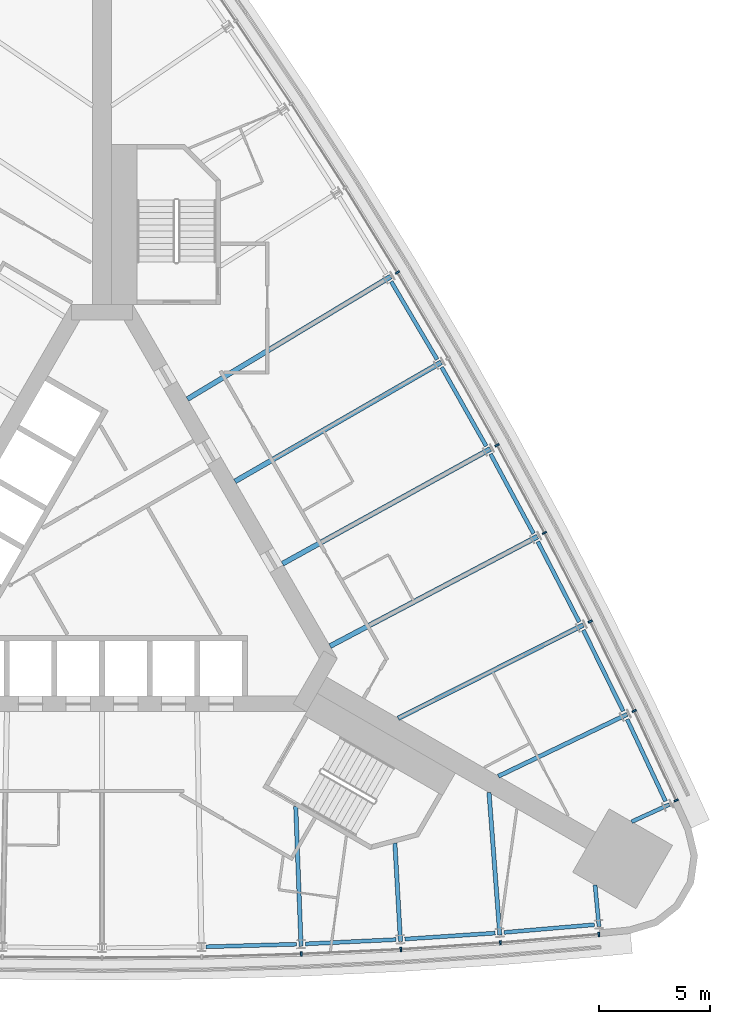
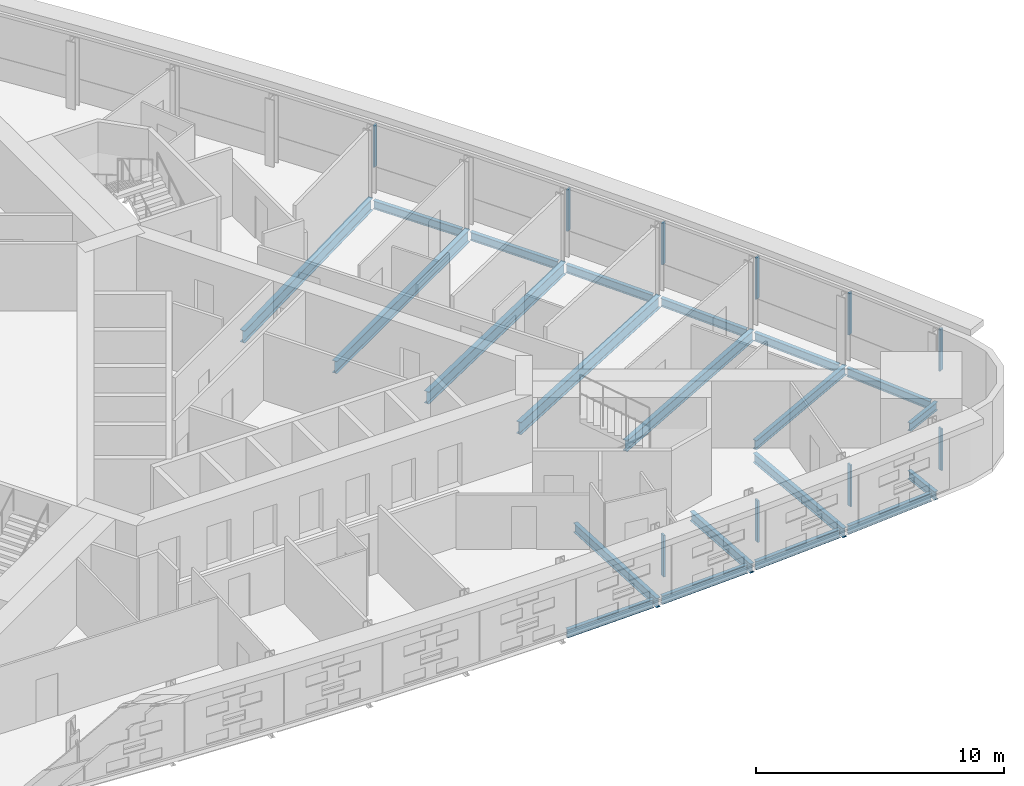
# One storey, part 6 of 15: 21 beams, 10 members, 2 elements without a shape of their own.
"""IFC4 building model written with IfcOpenShell, lengths in metres."""

from ifc_helpers import new_model, si_unit, direction, frame, origin, origin_2d, place, context, subcontext, project, spatial, rectangle, i_section, extrude, material, material_profile, profile_set, type_object, element, aggregate, save


model = new_model("IFC4")

# Units and contexts
model_context = context("Model", 3, precision=1e-05, world=origin(), true_north=direction((0.0, 1.0)))
body_context = subcontext(model_context, "Body", "Model", "MODEL_VIEW")
ifc_project = project(units=[si_unit("LENGTHUNIT", "METRE"), si_unit("AREAUNIT", "SQUARE_METRE"), si_unit("VOLUMEUNIT", "CUBIC_METRE"), si_unit("PLANEANGLEUNIT", "RADIAN"), si_unit("MASSUNIT", "GRAM", prefix="KILO")], contexts=[model_context])

# Site, building, storey
site_placement = place(None, origin())
site = spatial("IfcSite", under=ifc_project, at=site_placement, CompositionType="ELEMENT")
building_placement = place(site_placement, origin())
building = spatial("IfcBuilding", under=site, at=building_placement, Name="Noor Cloister Tower", CompositionType="ELEMENT")
storey_placement = place(building_placement, frame((0.0, 0.0, 49.199951171875)))
storey = spatial("IfcBuildingStorey", under=building, at=storey_placement, Name="L12", CompositionType="ELEMENT", Elevation=49.199951171875)

# Curtain wall, members
ifc_material_1 = material(Name="Aluminium 6063-T6 anodised", Category="aluminium")
curtain_wall_type = type_object("IfcCurtainWallType", Name="Ribbon curtain wall, lower tower CW1", PredefinedType="NOTDEFINED", material=ifc_material_1)
curtain_wall_1_placement = place(storey_placement, origin())
curtain_wall_1 = element("IfcCurtainWall", 1, at=curtain_wall_1_placement, inside=storey, type_object=curtain_wall_type, Name="CW1 L12 S run 2", PredefinedType="NOTDEFINED")
ifc_material_2 = material(Name="Aluminium 6063-T6 anodised", Category="aluminium")
ifc_material_profile_1 = material_profile(ifc_material_2, rectangle(XDim=0.199951171875, YDim=0.080078125, at=origin_2d()), Name="200 x 80 mullion")
ifc_profile_set_1 = profile_set([ifc_material_profile_1], Name="Aluminium 6063-T6 anodised")
member_type = type_object("IfcMemberType", Name="Mullion CW1 80 x 200", PredefinedType="MULLION", material=ifc_profile_set_1)
member_1_placement = place(storey_placement, frame((8.994140625, -17.861083984375, 1.10009765625), z_axis=(0.0, 0.0, 1.0), x_axis=(-0.037822767995, 0.999284463114, 0.0)))
member_1 = element("IfcMember", 2, at=member_1_placement, type_object=member_type, Name="CW1 mullion 8", PredefinedType="MULLION", context=body_context, shape_type="SweptSolid", body=[
    extrude(rectangle(XDim=0.199951171875, YDim=0.080078125, at=origin_2d()), origin(), (0.0, 0.0, 1.0), 2.050048828125),
])
member_2_placement = place(storey_placement, frame((13.487060546875, -17.6484375, 1.10009765625), z_axis=(0.0, 0.0, 1.0), x_axis=(-0.056717235133, 0.998390282023, 0.0)))
member_2 = element("IfcMember", 3, at=member_2_placement, type_object=member_type, Name="CW1 mullion 9", PredefinedType="MULLION", context=body_context, shape_type="SweptSolid", body=[
    extrude(rectangle(XDim=0.199951171875, YDim=0.080078125, at=origin_2d()), origin(), (0.0, 0.0, 1.0), 2.050048828125),
])
member_3_placement = place(storey_placement, frame((17.975341796875, -17.350830078125, 1.10009765625), z_axis=(0.0, 0.0, 1.0), x_axis=(-0.075591408818, 0.997138876442, 0.0)))
member_3 = element("IfcMember", 4, at=member_3_placement, type_object=member_type, Name="CW1 mullion 10", PredefinedType="MULLION", context=body_context, shape_type="SweptSolid", body=[
    extrude(rectangle(XDim=0.199951171875, YDim=0.080078125, at=origin_2d()), origin(), (0.0, 0.0, 1.0), 2.050048828125),
])
member_4_placement = place(storey_placement, frame((22.418212890625, -16.9716796875, 1.10009765625), z_axis=(0.0, 0.0, 1.0), x_axis=(-0.085018766201, 0.996379350144, 0.0)))
member_4 = element("IfcMember", 5, at=member_4_placement, type_object=member_type, Name="CW1 mullion 11", PredefinedType="MULLION", context=body_context, shape_type="SweptSolid", body=[
    extrude(rectangle(XDim=0.199951171875, YDim=0.080078125, at=origin_2d()), origin(), (0.0, 0.0, 1.0), 2.050048828125),
])
aggregate(curtain_wall_1, [member_1, member_2, member_3, member_4])

curtain_wall_2_placement = place(storey_placement, origin())
curtain_wall_2 = element("IfcCurtainWall", 6, at=curtain_wall_2_placement, inside=storey, type_object=curtain_wall_type, Name="CW1 L12 NE run 3", PredefinedType="NOTDEFINED")
member_5_placement = place(storey_placement, frame((25.906982421875, -10.9287109375, 1.10009765625), z_axis=(0.0, 0.0, 1.0), x_axis=(-0.905399212131, -0.424561263744, 0.0)))
member_5 = element("IfcMember", 7, at=member_5_placement, type_object=member_type, Name="CW1 mullion 1", PredefinedType="MULLION", context=body_context, shape_type="SweptSolid", body=[
    extrude(rectangle(XDim=0.199951171875, YDim=0.080078125, at=origin_2d()), origin(), (0.0, 0.0, 1.0), 2.050048828125),
])
member_6_placement = place(storey_placement, frame((24.013916015625, -6.8916015625, 1.10009765625), z_axis=(0.0, 0.0, 1.0), x_axis=(-0.901343302509, -0.433105357877, 0.0)))
member_6 = element("IfcMember", 8, at=member_6_placement, type_object=member_type, Name="CW1 mullion 2", PredefinedType="MULLION", context=body_context, shape_type="SweptSolid", body=[
    extrude(rectangle(XDim=0.199951171875, YDim=0.080078125, at=origin_2d()), origin(), (0.0, 0.0, 1.0), 2.050048828125),
])
member_7_placement = place(storey_placement, frame((22.027587890625, -2.85595703125, 1.10009765625), z_axis=(0.0, 0.0, 1.0), x_axis=(-0.89298996469, -0.450076574554, 0.0)))
member_7 = element("IfcMember", 9, at=member_7_placement, type_object=member_type, Name="CW1 mullion 3", PredefinedType="MULLION", context=body_context, shape_type="SweptSolid", body=[
    extrude(rectangle(XDim=0.199951171875, YDim=0.080078125, at=origin_2d()), origin(), (0.0, 0.0, 1.0), 2.050048828125),
])
member_8_placement = place(storey_placement, frame((19.965087890625, 1.141357421875, 1.10009765625), z_axis=(0.0, 0.0, 1.0), x_axis=(-0.884317114661, -0.466886753632, 0.0)))
member_8 = element("IfcMember", 10, at=member_8_placement, type_object=member_type, Name="CW1 mullion 4", PredefinedType="MULLION", context=body_context, shape_type="SweptSolid", body=[
    extrude(rectangle(XDim=0.199951171875, YDim=0.080078125, at=origin_2d()), origin(), (0.0, 0.0, 1.0), 2.050048828125),
])
member_9_placement = place(storey_placement, frame((17.82763671875, 5.09912109375, 1.10009765625), z_axis=(0.0, 0.0, 1.0), x_axis=(-0.875327855572, -0.48352988042, 0.0)))
member_9 = element("IfcMember", 11, at=member_9_placement, type_object=member_type, Name="CW1 mullion 5", PredefinedType="MULLION", context=body_context, shape_type="SweptSolid", body=[
    extrude(rectangle(XDim=0.199951171875, YDim=0.080078125, at=origin_2d()), origin(), (0.0, 0.0, 1.0), 2.050048828125),
])
member_10_placement = place(storey_placement, frame((13.32958984375, 12.8896484375, 1.10009765625), z_axis=(0.0, 0.0, 1.0), x_axis=(-0.856413087719, -0.516291219356, 0.0)))
member_10 = element("IfcMember", 12, at=member_10_placement, type_object=member_type, Name="CW1 mullion 7", PredefinedType="MULLION", context=body_context, shape_type="SweptSolid", body=[
    extrude(rectangle(XDim=0.199951171875, YDim=0.080078125, at=origin_2d()), origin(), (0.0, 0.0, 1.0), 2.050048828125),
])
aggregate(curtain_wall_2, [member_5, member_6, member_7, member_8, member_9, member_10])

# Beams
ifc_material_3 = material(Name="Steel ASTM A992 Gr 50", Category="steel")
ifc_material_profile_2 = material_profile(ifc_material_3, i_section(OverallWidth=0.177978515625, OverallDepth=0.406005859375, WebThickness=0.0078125, FlangeThickness=0.0126953125, FilletRadius=0.01025390625, at=origin_2d()), Name="W410x60")
ifc_profile_set_2 = profile_set([ifc_material_profile_2], Name="Steel ASTM A992 Gr 50")
beam_type_1 = type_object("IfcBeamType", Name="Radial beam W410x60", PredefinedType="BEAM", material=ifc_profile_set_2)
for number, where, z_axis, x_axis, name in (
    (13, (22.423583984375, -16.616943359375, -0.40283203125), (-0.094348489313, 0.995539232057, 0.0), (-0.995539232057, -0.094348489313, 0.0), "Radial beam S 11 L12"),
    (14, (25.6025390625, -11.111083984375, -0.40283203125), (-0.909401352504, -0.415919679823, 0.0), (0.415919679823, -0.909401352504, 0.0), "Radial beam NE 01 L12"),
):
    element("IfcBeam", number, at=place(storey_placement, frame(where, z_axis=z_axis, x_axis=x_axis)), inside=storey, type_object=beam_type_1, Name=name, PredefinedType="BEAM", context=body_context, shape_type="SweptSolid", body=[
        extrude(i_section(OverallWidth=0.177978515625, OverallDepth=0.406005859375, WebThickness=0.0078125, FlangeThickness=0.0126953125, FilletRadius=0.01025390625, at=origin_2d()), origin(), (0.0, 0.0, 1.0), 1.8759765625),
    ])
ifc_material_4 = material(Name="Steel ASTM A992 Gr 50", Category="steel")
ifc_material_profile_3 = material_profile(ifc_material_4, i_section(OverallWidth=0.19091796875, OverallDepth=0.45703125, WebThickness=0.009033203125, FlangeThickness=0.014404296875, FilletRadius=0.01025390625, at=origin_2d()), Name="W460x74")
ifc_profile_set_3 = profile_set([ifc_material_profile_3], Name="Steel ASTM A992 Gr 50")
beam_type_2 = type_object("IfcBeamType", Name="Radial beam W460x74", PredefinedType="BEAM", material=ifc_profile_set_3)
beam_1_placement = place(storey_placement, frame((8.980712890625, -17.50830078125, -0.428466796875), z_axis=(-0.037835237145, 0.999283991081, 0.0), x_axis=(-0.999283991081, -0.037835237145, 0.0)))
element("IfcBeam", 15, at=beam_1_placement, inside=storey, type_object=beam_type_2, Name="Radial beam S 08 L12", PredefinedType="BEAM", context=body_context, shape_type="SweptSolid", body=[
    extrude(i_section(OverallWidth=0.19091796875, OverallDepth=0.45703125, WebThickness=0.009033203125, FlangeThickness=0.014404296875, FilletRadius=0.01025390625, at=origin_2d()), origin(), (0.0, 0.0, 1.0), 6.30419921875),
])
beam_2_placement = place(storey_placement, frame((13.467041015625, -17.2958984375, -0.428466796875), z_axis=(-0.056706190624, 0.998390909386, 0.0), x_axis=(-0.998390909386, -0.056706190624, 0.0)))
element("IfcBeam", 16, at=beam_2_placement, inside=storey, type_object=beam_type_2, Name="Radial beam S 09 L12", PredefinedType="BEAM", context=body_context, shape_type="SweptSolid", body=[
    extrude(i_section(OverallWidth=0.19091796875, OverallDepth=0.45703125, WebThickness=0.009033203125, FlangeThickness=0.014404296875, FilletRadius=0.01025390625, at=origin_2d()), origin(), (0.0, 0.0, 1.0), 4.45166015625),
])
beam_3_placement = place(storey_placement, frame((17.948486328125, -16.998779296875, -0.428466796875), z_axis=(-0.07556964555, 0.99714052604, 0.0), x_axis=(-0.99714052604, -0.07556964555, 0.0)))
element("IfcBeam", 17, at=beam_3_placement, inside=storey, type_object=beam_type_2, Name="Radial beam S 10 L12", PredefinedType="BEAM", context=body_context, shape_type="SweptSolid", body=[
    extrude(i_section(OverallWidth=0.19091796875, OverallDepth=0.45703125, WebThickness=0.009033203125, FlangeThickness=0.014404296875, FilletRadius=0.01025390625, at=origin_2d()), origin(), (0.0, 0.0, 1.0), 6.445068359375),
])
beam_4_placement = place(storey_placement, frame((23.69580078125, -7.04443359375, -0.428466796875), z_axis=(-0.901339737011, -0.43311277802, 0.0), x_axis=(0.43311277802, -0.901339737011, 0.0)))
element("IfcBeam", 18, at=beam_4_placement, inside=storey, type_object=beam_type_2, Name="Radial beam NE 02 L12", PredefinedType="BEAM", context=body_context, shape_type="SweptSolid", body=[
    extrude(i_section(OverallWidth=0.19091796875, OverallDepth=0.45703125, WebThickness=0.009033203125, FlangeThickness=0.014404296875, FilletRadius=0.01025390625, at=origin_2d()), origin(), (0.0, 0.0, 1.0), 6.4453125),
])
ifc_material_5 = material(Name="Steel ASTM A992 Gr 50", Category="steel")
ifc_material_profile_4 = material_profile(ifc_material_5, i_section(OverallWidth=0.208984375, OverallDepth=0.532958984375, WebThickness=0.01025390625, FlangeThickness=0.015625, FilletRadius=0.0126953125, at=origin_2d()), Name="W530x92")
ifc_profile_set_4 = profile_set([ifc_material_profile_4], Name="Steel ASTM A992 Gr 50")
beam_type_3 = type_object("IfcBeamType", Name="Radial beam W530x92", PredefinedType="BEAM", material=ifc_profile_set_4)
beam_5_placement = place(storey_placement, frame((21.712158203125, -3.014892578125, -0.466552734375), z_axis=(-0.892991905336, -0.450072724128, 0.0), x_axis=(0.450072724128, -0.892991905336, 0.0)))
element("IfcBeam", 19, at=beam_5_placement, inside=storey, type_object=beam_type_3, Name="Radial beam NE 03 L12", PredefinedType="BEAM", context=body_context, shape_type="SweptSolid", body=[
    extrude(i_section(OverallWidth=0.208984375, OverallDepth=0.532958984375, WebThickness=0.01025390625, FlangeThickness=0.015625, FilletRadius=0.0126953125, at=origin_2d()), origin(), (0.0, 0.0, 1.0), 9.351318359375),
])
ifc_material_6 = material(Name="Steel ASTM A992 Gr 50", Category="steel")
ifc_material_profile_5 = material_profile(ifc_material_6, i_section(OverallWidth=0.22802734375, OverallDepth=0.60205078125, WebThickness=0.010498046875, FlangeThickness=0.014892578125, FilletRadius=0.0126953125, at=origin_2d()), Name="W610x101")
ifc_profile_set_5 = profile_set([ifc_material_profile_5], Name="Steel ASTM A992 Gr 50")
beam_type_4 = type_object("IfcBeamType", Name="Radial beam W610x101", PredefinedType="BEAM", material=ifc_profile_set_5)
beam_6_placement = place(storey_placement, frame((19.653076171875, 0.9765625, -0.5009765625), z_axis=(-0.88432578388, -0.466870333139, 0.0), x_axis=(0.466870333139, -0.88432578388, 0.0)))
element("IfcBeam", 20, at=beam_6_placement, inside=storey, type_object=beam_type_4, Name="Radial beam NE 04 L12", PredefinedType="BEAM", context=body_context, shape_type="SweptSolid", body=[
    extrude(i_section(OverallWidth=0.22802734375, OverallDepth=0.60205078125, WebThickness=0.010498046875, FlangeThickness=0.014892578125, FilletRadius=0.0126953125, at=origin_2d()), origin(), (0.0, 0.0, 1.0), 10.587890625),
])
beam_7_placement = place(storey_placement, frame((17.5185546875, 4.928466796875, -0.5009765625), z_axis=(-0.875322538909, -0.483539504982, 0.0), x_axis=(0.483539504982, -0.875322538909, 0.0)))
element("IfcBeam", 21, at=beam_7_placement, inside=storey, type_object=beam_type_4, Name="Radial beam NE 05 L12", PredefinedType="BEAM", context=body_context, shape_type="SweptSolid", body=[
    extrude(i_section(OverallWidth=0.22802734375, OverallDepth=0.60205078125, WebThickness=0.010498046875, FlangeThickness=0.014892578125, FilletRadius=0.0126953125, at=origin_2d()), origin(), (0.0, 0.0, 1.0), 10.70947265625),
])
beam_8_placement = place(storey_placement, frame((15.309814453125, 8.839111328125, -0.5009765625), z_axis=(-0.866026365697, -0.499998333915, 0.0), x_axis=(0.499998333915, -0.866026365697, 0.0)))
element("IfcBeam", 22, at=beam_8_placement, inside=storey, type_object=beam_type_4, Name="Radial beam NE 06 L12", PredefinedType="BEAM", context=body_context, shape_type="SweptSolid", body=[
    extrude(i_section(OverallWidth=0.22802734375, OverallDepth=0.60205078125, WebThickness=0.010498046875, FlangeThickness=0.014892578125, FilletRadius=0.0126953125, at=origin_2d()), origin(), (0.0, 0.0, 1.0), 10.75),
])
beam_9_placement = place(storey_placement, frame((13.02734375, 12.707275390625, -0.5009765625), z_axis=(-0.856416913389, -0.51628487336, 0.0), x_axis=(0.51628487336, -0.856416913389, 0.0)))
element("IfcBeam", 23, at=beam_9_placement, inside=storey, type_object=beam_type_4, Name="Radial beam NE 07 L12", PredefinedType="BEAM", context=body_context, shape_type="SweptSolid", body=[
    extrude(i_section(OverallWidth=0.22802734375, OverallDepth=0.60205078125, WebThickness=0.010498046875, FlangeThickness=0.014892578125, FilletRadius=0.0126953125, at=origin_2d()), origin(), (0.0, 0.0, 1.0), 10.709228515625),
])
ifc_material_7 = material(Name="Steel ASTM A992 Gr 50", Category="steel")
ifc_material_profile_6 = material_profile(ifc_material_7, i_section(OverallWidth=0.177978515625, OverallDepth=0.406005859375, WebThickness=0.0078125, FlangeThickness=0.0126953125, FilletRadius=0.01025390625, at=origin_2d()), Name="W410x60")
ifc_profile_set_6 = profile_set([ifc_material_profile_6], Name="Steel ASTM A992 Gr 50")
beam_type_5 = type_object("IfcBeamType", Name="Spandrel beam W410x60", PredefinedType="SPANDREL", material=ifc_profile_set_6)
for number, where, z_axis, x_axis, name in (
    (24, (4.691162109375, -17.532958984375, -0.40283203125), (0.999597091295, 0.028384063747, 0.0), (-0.028384063747, 0.999597091295, 0.0), "Spandrel beam S 07 L12"),
    (25, (9.1787109375, -17.40185546875, -0.40283203125), (0.998882288685, 0.047267042974, 0.0), (-0.047267042974, 0.998882288685, 0.0), "Spandrel beam S 08 L12"),
    (26, (13.6630859375, -17.185791015625, -0.40283203125), (0.997809679637, 0.066150156627, 0.0), (-0.066150156627, 0.997809679637, 0.0), "Spandrel beam S 09 L12"),
    (27, (18.142578125, -16.885009765625, -0.40283203125), (0.996378105805, 0.085033348001, 0.0), (-0.085033348001, 0.996378105805, 0.0), "Spandrel beam S 10 L12"),
):
    element("IfcBeam", number, at=place(storey_placement, frame(where, z_axis=z_axis, x_axis=x_axis)), inside=storey, type_object=beam_type_5, Name=name, PredefinedType="SPANDREL", context=body_context, shape_type="SweptSolid", body=[
        extrude(i_section(OverallWidth=0.177978515625, OverallDepth=0.406005859375, WebThickness=0.0078125, FlangeThickness=0.0126953125, FilletRadius=0.01025390625, at=origin_2d()), origin(), (0.0, 0.0, 1.0), 4.085693359375),
    ])
for number, where, z_axis, x_axis, name in (
    (28, (25.4287109375, -10.968505859375, -0.40283203125), (-0.424579318133, 0.905390745818, 0.0), (-0.905390745818, -0.424579318133, 0.0), "Spandrel beam NE 01 L12"),
    (29, (23.51904296875, -6.9052734375, -0.40283203125), (-0.441611503517, 0.897206375346, 0.0), (-0.897206375346, -0.441611503517, 0.0), "Spandrel beam NE 02 L12"),
):
    element("IfcBeam", number, at=place(storey_placement, frame(where, z_axis=z_axis, x_axis=x_axis)), inside=storey, type_object=beam_type_5, Name=name, PredefinedType="SPANDREL", context=body_context, shape_type="SweptSolid", body=[
        extrude(i_section(OverallWidth=0.177978515625, OverallDepth=0.406005859375, WebThickness=0.0078125, FlangeThickness=0.0126953125, FilletRadius=0.01025390625, at=origin_2d()), origin(), (0.0, 0.0, 1.0), 4.08544921875),
    ])
beam_10_placement = place(storey_placement, frame((21.532958984375, -2.87890625, -0.40283203125), z_axis=(-0.458484598021, 0.888702353647, 0.0), x_axis=(-0.888702353647, -0.458484598021, 0.0)))
element("IfcBeam", 30, at=beam_10_placement, inside=storey, type_object=beam_type_5, Name="Spandrel beam NE 03 L12", PredefinedType="SPANDREL", context=body_context, shape_type="SweptSolid", body=[
    extrude(i_section(OverallWidth=0.177978515625, OverallDepth=0.406005859375, WebThickness=0.0078125, FlangeThickness=0.0126953125, FilletRadius=0.01025390625, at=origin_2d()), origin(), (0.0, 0.0, 1.0), 4.085205078125),
])
beam_11_placement = place(storey_placement, frame((19.47119140625, 1.109130859375, -0.40283203125), z_axis=(-0.47524329356, 0.879854426554, 0.0), x_axis=(-0.879854426554, -0.47524329356, 0.0)))
element("IfcBeam", 31, at=beam_11_placement, inside=storey, type_object=beam_type_5, Name="Spandrel beam NE 04 L12", PredefinedType="SPANDREL", context=body_context, shape_type="SweptSolid", body=[
    extrude(i_section(OverallWidth=0.177978515625, OverallDepth=0.406005859375, WebThickness=0.0078125, FlangeThickness=0.0126953125, FilletRadius=0.01025390625, at=origin_2d()), origin(), (0.0, 0.0, 1.0), 4.085693359375),
])
for number, where, z_axis, x_axis, name in (
    (32, (17.334228515625, 5.057373046875, -0.40283203125), (-0.49175004503, 0.870736408572, 0.0), (-0.870736408572, -0.49175004503, 0.0), "Spandrel beam NE 05 L12"),
    (33, (15.123046875, 8.964599609375, -0.40283203125), (-0.508189643386, 0.861245195258, 0.0), (-0.861245195258, -0.508189643386, 0.0), "Spandrel beam NE 06 L12"),
):
    element("IfcBeam", number, at=place(storey_placement, frame(where, z_axis=z_axis, x_axis=x_axis)), inside=storey, type_object=beam_type_5, Name=name, PredefinedType="SPANDREL", context=body_context, shape_type="SweptSolid", body=[
        extrude(i_section(OverallWidth=0.177978515625, OverallDepth=0.406005859375, WebThickness=0.0078125, FlangeThickness=0.0126953125, FilletRadius=0.01025390625, at=origin_2d()), origin(), (0.0, 0.0, 1.0), 4.08544921875),
    ])

save(model, "model.ifc")
